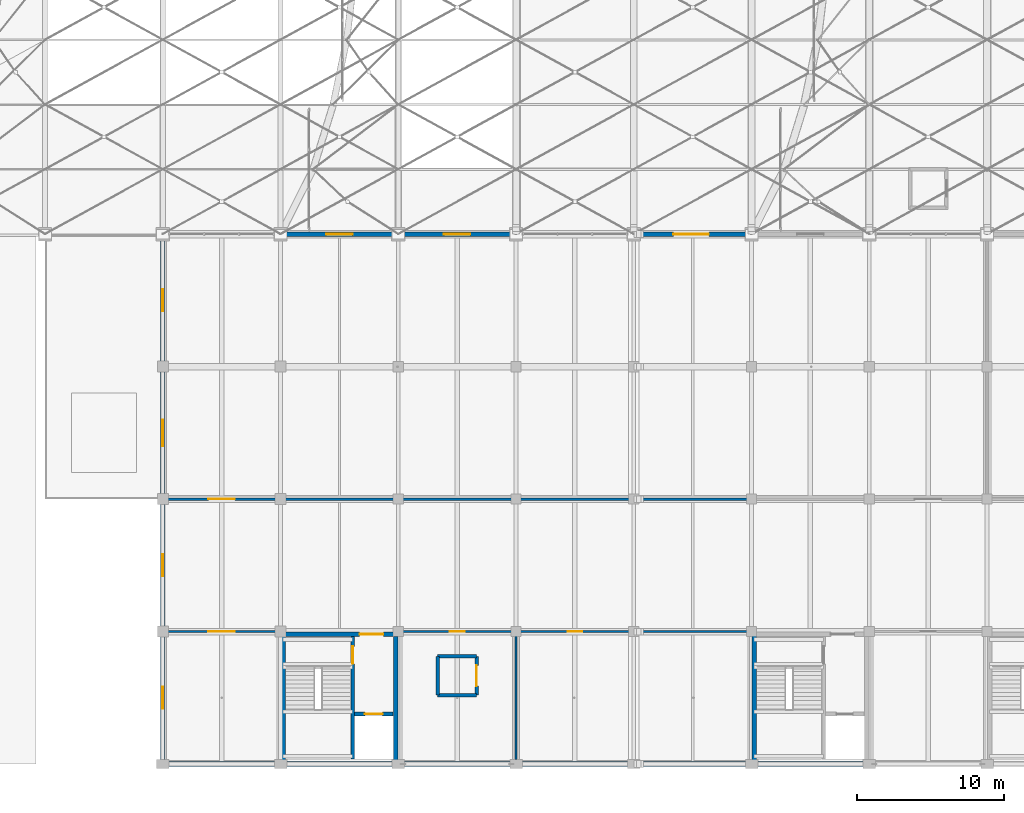
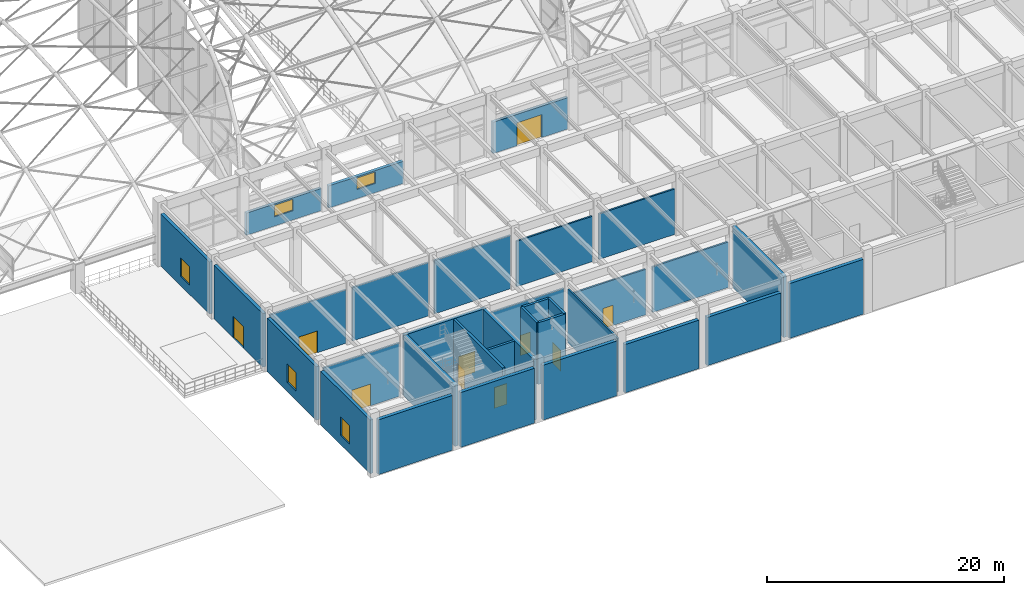
# One storey, part 127 of 163: 33 walls, 10 doors, 5 windows, 15 openings.
"""IFC4 building model written with IfcOpenShell, lengths in metres."""

from ifc_helpers import new_model, si_unit, direction, frame, frame_2d, origin, place, context, subcontext, project, spatial, rectangle, extrude, material, layer, layer_set, type_object, element, fill, save


model = new_model("IFC4")

# Units and contexts
model_context = context("Model", 3, precision=1e-05, world=origin(), true_north=direction((0.0, 1.0)))
body_context = subcontext(model_context, "Body", "Model", "MODEL_VIEW")
ifc_project = project(units=[si_unit("LENGTHUNIT", "METRE"), si_unit("AREAUNIT", "SQUARE_METRE"), si_unit("VOLUMEUNIT", "CUBIC_METRE"), si_unit("PLANEANGLEUNIT", "RADIAN"), si_unit("MASSUNIT", "GRAM", prefix="KILO")], contexts=[model_context])

# Site, building, storey
site_placement = place(None, origin())
site = spatial("IfcSite", under=ifc_project, at=site_placement, CompositionType="ELEMENT")
building_placement = place(site_placement, origin())
building = spatial("IfcBuilding", under=site, at=building_placement, Name="Varnabhumi Central Station", CompositionType="ELEMENT")
storey_placement = place(building_placement, frame((0.0, 0.0, 9.60009765625)))
storey = spatial("IfcBuildingStorey", under=building, at=storey_placement, Name="L02", CompositionType="ELEMENT", Elevation=9.60009765625)

# Walls
ifc_material_1 = material(Name="Concrete M40", Category="concrete")
ifc_layer_1 = layer(ifc_material_1, 0.300048828125, Name="Concrete M40", Category="concrete")
ifc_layer_set_1 = layer_set([ifc_layer_1], Name="Concrete M40")
wall_type_1 = type_object("IfcWallType", Name="WAL-CORE-RC-300", PredefinedType="SHEAR", material=ifc_layer_set_1)
for number, where, z_axis, x_axis, name in (
    (1, (40.179931640625, 0.179931640625, 0.0), (0.0, 0.0, 1.0), (0.0, 1.0, 0.0), "SC1 L02 West Shear Wall"),
    (2, (47.820068359375, 0.179931640625, 0.0), (0.0, 0.0, 1.0), (0.0, 1.0, 0.0), "SC1 L02 East Shear Wall"),
):
    element("IfcWall", number, at=place(storey_placement, frame(where, z_axis=z_axis, x_axis=x_axis)), inside=storey, type_object=wall_type_1, Name=name, PredefinedType="SHEAR", context=body_context, shape_type="SweptSolid", body=[
        extrude(rectangle(XDim=8.64013671875, YDim=0.300048828125, at=frame_2d((4.320068359375, 0.0))), origin(), (0.0, 0.0, 1.0), 6.31982421875),
    ])

# Wall, opening, door
wall_1_placement = place(storey_placement, frame((40.030029296875, 8.820068359375, 0.0), z_axis=(0.0, 0.0, 1.0), x_axis=(1.0, 0.0, 0.0)))
wall_1 = element("IfcWall", 3, at=wall_1_placement, inside=storey, type_object=wall_type_1, Name="SC1 L02 Corridor Shear Wall", PredefinedType="SHEAR", context=body_context, shape_type="SweptSolid", body=[
    extrude(rectangle(XDim=7.93994140625, YDim=0.300048828125, at=frame_2d((3.969970703125, 0.0))), origin(), (0.0, 0.0, 1.0), 6.31982421875),
])
opening_1_placement = place(wall_1_placement, frame((5.35009765625, 0.0, 0.0)))
opening_1 = element("IfcOpeningElement", 4, at=opening_1_placement, cuts=wall_1, Name="Opening FD-60D", PredefinedType="OPENING", context=body_context, shape_type="SweptSolid", body=[
    extrude(rectangle(XDim=1.60009765625, YDim=2.14990234375, at=frame_2d((0.800048828125, 1.074951171875))), frame((0.0, 0.159912109375, 0.0), z_axis=(0.0, -1.0, 0.0), x_axis=(1.0, 0.0, 0.0)), (0.0, 0.0, 1.0), 0.320068359375),
])
ifc_material_2 = material(Name="Intumescent-treated hardwood timber", Category="wood")
door_type_1 = type_object("IfcDoorType", Name="DR-FIRE-60-1600", OperationType="NOTDEFINED", PredefinedType="DOOR", material=ifc_material_2)
door_1_placement = place(opening_1_placement, origin())
door_1 = element("IfcDoor", 5, at=door_1_placement, inside=storey, type_object=door_type_1, Name="SC1 L02 Lobby Fire Door", OperationType="DOUBLE_DOOR_SINGLE_SWING", OverallHeight=2.14990234375, OverallWidth=1.60009765625, PredefinedType="DOOR", context=body_context, shape_type="SweptSolid", body=[
    extrude(rectangle(XDim=1.60009765625, YDim=2.14990234375, at=frame_2d((0.800048828125, 1.074951171875))), frame((0.0, 0.02490234375, 0.0), z_axis=(0.0, -1.0, 0.0), x_axis=(1.0, 0.0, 0.0)), (0.0, 0.0, 1.0), 0.050048828125),
])
fill(opening_1, door_1)

# Wall
wall_2_placement = place(storey_placement, frame((72.179931640625, 0.179931640625, 0.0), z_axis=(0.0, 0.0, 1.0), x_axis=(0.0, 1.0, 0.0)))
element("IfcWall", 6, at=wall_2_placement, inside=storey, type_object=wall_type_1, Name="SC4 L02 West Shear Wall", PredefinedType="SHEAR", context=body_context, shape_type="SweptSolid", body=[
    extrude(rectangle(XDim=8.64013671875, YDim=0.300048828125, at=frame_2d((4.320068359375, 0.0))), origin(), (0.0, 0.0, 1.0), 6.31982421875),
])

# Wall, opening, window
ifc_material_3 = material(Name="Autoclaved aerated blockwork masonry", Category="masonry")
ifc_layer_2 = layer(ifc_material_3, 0.300048828125, Name="Autoclaved aerated blockwork masonry", Category="masonry")
ifc_layer_set_2 = layer_set([ifc_layer_2], Name="Autoclaved aerated blockwork masonry")
wall_type_2 = type_object("IfcWallType", Name="WAL-EXT-STUCCO-300", PredefinedType="SOLIDWALL", material=ifc_layer_set_2)
wall_3_placement = place(storey_placement, frame((40.344970703125, 36.0, 0.0), z_axis=(0.0, 0.0, 1.0), x_axis=(1.0, 0.0, 0.0)))
wall_3 = element("IfcWall", 7, at=wall_3_placement, inside=storey, type_object=wall_type_2, Name="South Spine Wall L02-2", PredefinedType="SOLIDWALL", context=body_context, shape_type="SweptSolid", body=[
    extrude(rectangle(XDim=7.31005859375, YDim=0.300048828125, at=frame_2d((3.655029296875, 0.0))), origin(), (0.0, 0.0, 1.0), 2.27001953125),
])
opening_2_placement = place(wall_3_placement, frame((2.7548828125, 0.0, 0.949951171875)))
opening_2 = element("IfcOpeningElement", 8, at=opening_2_placement, cuts=wall_3, Name="Opening W-02", PredefinedType="OPENING", context=body_context, shape_type="SweptSolid", body=[
    extrude(rectangle(XDim=1.800048828125, YDim=1.179931640625, at=frame_2d((0.89990234375, 0.58984375))), frame((0.0, 0.159912109375, 0.0), z_axis=(0.0, -1.0, 0.0), x_axis=(1.0, 0.0, 0.0)), (0.0, 0.0, 1.0), 0.320068359375),
])
ifc_material_4 = material(Name="Laminated low-E double glazing", Category="glass")
window_type_1 = type_object("IfcWindowType", Name="WIN-ARCADE-1800x2600", PartitioningType="DOUBLE_PANEL_VERTICAL", PredefinedType="WINDOW", material=ifc_material_4)
window_1_placement = place(opening_2_placement, origin())
window_1 = element("IfcWindow", 9, at=window_1_placement, inside=storey, type_object=window_type_1, Name="South Spine Overlook Window L02-2", OverallHeight=1.179931640625, OverallWidth=1.800048828125, PartitioningType="SINGLE_PANEL", PredefinedType="WINDOW", context=body_context, shape_type="SweptSolid", body=[
    extrude(rectangle(XDim=1.800048828125, YDim=1.179931640625, at=frame_2d((0.89990234375, 0.58984375))), frame((0.0, 0.030029296875, 0.0), z_axis=(0.0, -1.0, 0.0), x_axis=(1.0, 0.0, 0.0)), (0.0, 0.0, 1.0), 0.06005859375),
])
fill(opening_2, window_1)

wall_4_placement = place(storey_placement, frame((48.344970703125, 36.0, 0.0), z_axis=(0.0, 0.0, 1.0), x_axis=(1.0, 0.0, 0.0)))
wall_4 = element("IfcWall", 10, at=wall_4_placement, inside=storey, type_object=wall_type_2, Name="South Spine Wall L02-3", PredefinedType="SOLIDWALL", context=body_context, shape_type="SweptSolid", body=[
    extrude(rectangle(XDim=7.31005859375, YDim=0.300048828125, at=frame_2d((3.655029296875, 0.0))), origin(), (0.0, 0.0, 1.0), 2.27001953125),
])
opening_3_placement = place(wall_4_placement, frame((2.7548828125, 0.0, 0.949951171875)))
opening_3 = element("IfcOpeningElement", 11, at=opening_3_placement, cuts=wall_4, Name="Opening W-02", PredefinedType="OPENING", context=body_context, shape_type="SweptSolid", body=[
    extrude(rectangle(XDim=1.800048828125, YDim=1.179931640625, at=frame_2d((0.89990234375, 0.58984375))), frame((0.0, 0.159912109375, 0.0), z_axis=(0.0, -1.0, 0.0), x_axis=(1.0, 0.0, 0.0)), (0.0, 0.0, 1.0), 0.320068359375),
])
window_2_placement = place(opening_3_placement, origin())
window_2 = element("IfcWindow", 12, at=window_2_placement, inside=storey, type_object=window_type_1, Name="South Spine Overlook Window L02-3", OverallHeight=1.179931640625, OverallWidth=1.800048828125, PartitioningType="SINGLE_PANEL", PredefinedType="WINDOW", context=body_context, shape_type="SweptSolid", body=[
    extrude(rectangle(XDim=1.800048828125, YDim=1.179931640625, at=frame_2d((0.89990234375, 0.58984375))), frame((0.0, 0.030029296875, 0.0), z_axis=(0.0, -1.0, 0.0), x_axis=(1.0, 0.0, 0.0)), (0.0, 0.0, 1.0), 0.06005859375),
])
fill(opening_3, window_2)

# Wall, opening, door
wall_5_placement = place(storey_placement, frame((64.344970703125, 36.0, 0.0), z_axis=(0.0, 0.0, 1.0), x_axis=(1.0, 0.0, 0.0)))
wall_5 = element("IfcWall", 13, at=wall_5_placement, inside=storey, type_object=wall_type_2, Name="South Spine Wall L02-5", PredefinedType="SOLIDWALL", context=body_context, shape_type="SweptSolid", body=[
    extrude(rectangle(XDim=7.31005859375, YDim=0.300048828125, at=frame_2d((3.655029296875, 0.0))), origin(), (0.0, 0.0, 1.0), 3.219970703125),
])
opening_4_placement = place(wall_5_placement, frame((2.35009765625, 0.0, 0.0)))
opening_4 = element("IfcOpeningElement", 14, at=opening_4_placement, cuts=wall_5, Name="Opening ED-1", PredefinedType="OPENING", context=body_context, shape_type="SweptSolid", body=[
    extrude(rectangle(XDim=2.39990234375, YDim=2.35009765625, at=frame_2d((1.199951171875, 1.175048828125))), frame((0.0, 0.159912109375, 0.0), z_axis=(0.0, -1.0, 0.0), x_axis=(1.0, 0.0, 0.0)), (0.0, 0.0, 1.0), 0.320068359375),
])
ifc_material_5 = material(Name="Anodised aluminium 6063-T6", Category="aluminium")
door_type_2 = type_object("IfcDoorType", Name="DR-EXT-PORTAL-2400", OperationType="NOTDEFINED", PredefinedType="DOOR", material=ifc_material_5)
door_2_placement = place(opening_4_placement, origin())
door_2 = element("IfcDoor", 15, at=door_2_placement, inside=storey, type_object=door_type_2, Name="Concourse South Waiting Portal 5", OperationType="DOUBLE_DOOR_SINGLE_SWING", OverallHeight=2.35009765625, OverallWidth=2.39990234375, PredefinedType="DOOR", context=body_context, shape_type="SweptSolid", body=[
    extrude(rectangle(XDim=2.39990234375, YDim=2.35009765625, at=frame_2d((1.199951171875, 1.175048828125))), frame((0.0, 0.02490234375, 0.0), z_axis=(0.0, -1.0, 0.0), x_axis=(1.0, 0.0, 0.0)), (0.0, 0.0, 1.0), 0.050048828125),
])
fill(opening_4, door_2)

# Wall, opening, window
wall_6_placement = place(storey_placement, frame((32.0, 0.294921875, 0.0), z_axis=(0.0, 0.0, 1.0), x_axis=(0.0, 1.0, 0.0)))
wall_6 = element("IfcWall", 16, at=wall_6_placement, inside=storey, type_object=wall_type_2, Name="South Wing E End Wall L02-1", PredefinedType="SOLIDWALL", context=body_context, shape_type="SweptSolid", body=[
    extrude(rectangle(XDim=8.3349609375, YDim=0.300048828125, at=frame_2d((4.16748046875, 0.0))), origin(), (0.0, 0.0, 1.0), 5.510009765625),
])
opening_5_placement = place(wall_6_placement, frame((3.455078125, 0.0, 0.949951171875)))
opening_5 = element("IfcOpeningElement", 17, at=opening_5_placement, cuts=wall_6, Name="Opening W-07", PredefinedType="OPENING", context=body_context, shape_type="SweptSolid", body=[
    extrude(rectangle(XDim=1.5, YDim=1.89990234375, at=frame_2d((0.75, 0.949951171875))), frame((0.0, 0.159912109375, 0.0), z_axis=(0.0, -1.0, 0.0), x_axis=(1.0, 0.0, 0.0)), (0.0, 0.0, 1.0), 0.320068359375),
])
window_type_2 = type_object("IfcWindowType", Name="WIN-OPS-1500x1900", PartitioningType="SINGLE_PANEL", PredefinedType="WINDOW", material=ifc_material_4)
window_3_placement = place(opening_5_placement, origin())
window_3 = element("IfcWindow", 18, at=window_3_placement, inside=storey, type_object=window_type_2, Name="South E Window L02-1", OverallHeight=1.89990234375, OverallWidth=1.5, PartitioningType="SINGLE_PANEL", PredefinedType="WINDOW", context=body_context, shape_type="SweptSolid", body=[
    extrude(rectangle(XDim=1.5, YDim=1.89990234375, at=frame_2d((0.75, 0.949951171875))), frame((0.0, 0.030029296875, 0.0), z_axis=(0.0, -1.0, 0.0), x_axis=(1.0, 0.0, 0.0)), (0.0, 0.0, 1.0), 0.06005859375),
])
fill(opening_5, window_3)

wall_7_placement = place(storey_placement, frame((32.0, 9.3701171875, 0.0), z_axis=(0.0, 0.0, 1.0), x_axis=(0.0, 1.0, 0.0)))
wall_7 = element("IfcWall", 19, at=wall_7_placement, inside=storey, type_object=wall_type_2, Name="South Wing E End Wall L02-2", PredefinedType="SOLIDWALL", context=body_context, shape_type="SweptSolid", body=[
    extrude(rectangle(XDim=8.259765625, YDim=0.300048828125, at=frame_2d((4.1298828125, 0.0))), origin(), (0.0, 0.0, 1.0), 5.510009765625),
])
opening_6_placement = place(wall_7_placement, frame((3.3798828125, 0.0, 0.949951171875)))
opening_6 = element("IfcOpeningElement", 20, at=opening_6_placement, cuts=wall_7, Name="Opening W-07", PredefinedType="OPENING", context=body_context, shape_type="SweptSolid", body=[
    extrude(rectangle(XDim=1.5, YDim=1.89990234375, at=frame_2d((0.75, 0.949951171875))), frame((0.0, 0.159912109375, 0.0), z_axis=(0.0, -1.0, 0.0), x_axis=(1.0, 0.0, 0.0)), (0.0, 0.0, 1.0), 0.320068359375),
])
window_4_placement = place(opening_6_placement, origin())
window_4 = element("IfcWindow", 21, at=window_4_placement, inside=storey, type_object=window_type_2, Name="South E Window L02-2", OverallHeight=1.89990234375, OverallWidth=1.5, PartitioningType="SINGLE_PANEL", PredefinedType="WINDOW", context=body_context, shape_type="SweptSolid", body=[
    extrude(rectangle(XDim=1.5, YDim=1.89990234375, at=frame_2d((0.75, 0.949951171875))), frame((0.0, 0.030029296875, 0.0), z_axis=(0.0, -1.0, 0.0), x_axis=(1.0, 0.0, 0.0)), (0.0, 0.0, 1.0), 0.06005859375),
])
fill(opening_6, window_4)

# Wall, opening, door
wall_8_placement = place(storey_placement, frame((32.0, 18.3701171875, 0.0), z_axis=(0.0, 0.0, 1.0), x_axis=(0.0, 1.0, 0.0)))
wall_8 = element("IfcWall", 22, at=wall_8_placement, inside=storey, type_object=wall_type_2, Name="South Wing E End Wall L02-3", PredefinedType="SOLIDWALL", context=body_context, shape_type="SweptSolid", body=[
    extrude(rectangle(XDim=8.259765625, YDim=0.300048828125, at=frame_2d((4.1298828125, 0.0))), origin(), (0.0, 0.0, 1.0), 5.510009765625),
])
opening_7_placement = place(wall_8_placement, frame((3.22998046875, 0.0, 0.0)))
opening_7 = element("IfcOpeningElement", 23, at=opening_7_placement, cuts=wall_8, Name="Opening ED-4", PredefinedType="OPENING", context=body_context, shape_type="SweptSolid", body=[
    extrude(rectangle(XDim=1.800048828125, YDim=2.199951171875, at=frame_2d((0.89990234375, 1.10009765625))), frame((0.0, 0.159912109375, 0.0), z_axis=(0.0, -1.0, 0.0), x_axis=(1.0, 0.0, 0.0)), (0.0, 0.0, 1.0), 0.320068359375),
])
door_type_3 = type_object("IfcDoorType", Name="DR-EXT-AZOTEA-1800", OperationType="NOTDEFINED", PredefinedType="DOOR", material=ifc_material_5)
door_3_placement = place(opening_7_placement, frame((1.800048828125, 0.0, 0.0), z_axis=(0.0, 0.0, 1.0), x_axis=(-1.0, 0.0, 0.0)))
door_3 = element("IfcDoor", 24, at=door_3_placement, inside=storey, type_object=door_type_3, Name="South Azotea Terrace Door L02-E", OperationType="DOUBLE_DOOR_SINGLE_SWING", OverallHeight=2.199951171875, OverallWidth=1.800048828125, PredefinedType="DOOR", context=body_context, shape_type="SweptSolid", body=[
    extrude(rectangle(XDim=1.800048828125, YDim=2.199951171875, at=frame_2d((0.89990234375, 1.10009765625))), frame((0.0, 0.02490234375, 0.0), z_axis=(0.0, -1.0, 0.0), x_axis=(1.0, 0.0, 0.0)), (0.0, 0.0, 1.0), 0.050048828125),
])
fill(opening_7, door_3)

# Wall, opening, window
wall_9_placement = place(storey_placement, frame((32.0, 27.3701171875, 0.0), z_axis=(0.0, 0.0, 1.0), x_axis=(0.0, 1.0, 0.0)))
wall_9 = element("IfcWall", 25, at=wall_9_placement, inside=storey, type_object=wall_type_2, Name="South Wing E End Wall L02-4", PredefinedType="SOLIDWALL", context=body_context, shape_type="SweptSolid", body=[
    extrude(rectangle(XDim=8.22998046875, YDim=0.300048828125, at=frame_2d((4.114990234375, 0.0))), origin(), (0.0, 0.0, 1.0), 5.35986328125),
])
opening_8_placement = place(wall_9_placement, frame((3.3798828125, 0.0, 0.949951171875)))
opening_8 = element("IfcOpeningElement", 26, at=opening_8_placement, cuts=wall_9, Name="Opening W-07", PredefinedType="OPENING", context=body_context, shape_type="SweptSolid", body=[
    extrude(rectangle(XDim=1.5, YDim=1.89990234375, at=frame_2d((0.75, 0.949951171875))), frame((0.0, 0.159912109375, 0.0), z_axis=(0.0, -1.0, 0.0), x_axis=(1.0, 0.0, 0.0)), (0.0, 0.0, 1.0), 0.320068359375),
])
window_5_placement = place(opening_8_placement, origin())
window_5 = element("IfcWindow", 27, at=window_5_placement, inside=storey, type_object=window_type_2, Name="South E Window L02-4", OverallHeight=1.89990234375, OverallWidth=1.5, PartitioningType="SINGLE_PANEL", PredefinedType="WINDOW", context=body_context, shape_type="SweptSolid", body=[
    extrude(rectangle(XDim=1.5, YDim=1.89990234375, at=frame_2d((0.75, 0.949951171875))), frame((0.0, 0.030029296875, 0.0), z_axis=(0.0, -1.0, 0.0), x_axis=(1.0, 0.0, 0.0)), (0.0, 0.0, 1.0), 0.06005859375),
])
fill(opening_8, window_5)

# Wall, opening, door
ifc_layer_3 = layer(ifc_material_3, 0.159912109375, Name="Autoclaved aerated blockwork masonry", Category="masonry")
ifc_layer_set_3 = layer_set([ifc_layer_3], Name="Autoclaved aerated blockwork masonry")
wall_type_3 = type_object("IfcWallType", Name="WAL-PART-AAC-160", PredefinedType="PARTITIONING", material=ifc_layer_set_3)
wall_10_placement = place(storey_placement, frame((32.300048828125, 18.0, 0.0), z_axis=(0.0, 0.0, 1.0), x_axis=(1.0, 0.0, 0.0)))
wall_10 = element("IfcWall", 28, at=wall_10_placement, inside=storey, type_object=wall_type_3, Name="South General Waiting Hall Corridor Partition 1", PredefinedType="PARTITIONING", context=body_context, shape_type="SweptSolid", body=[
    extrude(rectangle(XDim=7.39990234375, YDim=0.159912109375, at=frame_2d((3.699951171875, 0.0))), origin(), (0.0, 0.0, 1.0), 5.5),
])
opening_9_placement = place(wall_10_placement, frame((2.800048828125, 0.0, 0.0)))
opening_9 = element("IfcOpeningElement", 29, at=opening_9_placement, cuts=wall_10, Name="Opening D-02", PredefinedType="OPENING", context=body_context, shape_type="SweptSolid", body=[
    extrude(rectangle(XDim=1.800048828125, YDim=2.25, at=frame_2d((0.89990234375, 1.125))), frame((0.0, 0.08984375, 0.0), z_axis=(0.0, -1.0, 0.0), x_axis=(1.0, 0.0, 0.0)), (0.0, 0.0, 1.0), 0.179931640625),
])
door_type_4 = type_object("IfcDoorType", Name="DR-LOUNGE-1800", OperationType="NOTDEFINED", PredefinedType="DOOR", material=ifc_material_5)
door_4_placement = place(opening_9_placement, frame((1.800048828125, 0.0, 0.0), z_axis=(0.0, 0.0, 1.0), x_axis=(-1.0, 0.0, 0.0)))
door_4 = element("IfcDoor", 30, at=door_4_placement, inside=storey, type_object=door_type_4, Name="South General Waiting Hall Door 1", OperationType="DOUBLE_DOOR_SINGLE_SWING", OverallHeight=2.25, OverallWidth=1.800048828125, PredefinedType="DOOR", context=body_context, shape_type="SweptSolid", body=[
    extrude(rectangle(XDim=1.800048828125, YDim=2.25, at=frame_2d((0.89990234375, 1.125))), frame((0.0, 0.02490234375, 0.0), z_axis=(0.0, -1.0, 0.0), x_axis=(1.0, 0.0, 0.0)), (0.0, 0.0, 1.0), 0.050048828125),
])
fill(opening_9, door_4)

# Walls
for number, where, z_axis, x_axis, name in (
    (31, (40.300048828125, 18.0, 0.0), (0.0, 0.0, 1.0), (1.0, 0.0, 0.0), "South General Waiting Hall Corridor Partition 2"),
    (32, (48.300048828125, 18.0, 0.0), (0.0, 0.0, 1.0), (1.0, 0.0, 0.0), "South General Waiting Hall Corridor Partition 3"),
):
    element("IfcWall", number, at=place(storey_placement, frame(where, z_axis=z_axis, x_axis=x_axis)), inside=storey, type_object=wall_type_3, Name=name, PredefinedType="PARTITIONING", context=body_context, shape_type="SweptSolid", body=[
        extrude(rectangle(XDim=7.39990234375, YDim=0.159912109375, at=frame_2d((3.699951171875, 0.0))), origin(), (0.0, 0.0, 1.0), 5.5),
    ])
for number, where, z_axis, x_axis, name in (
    (33, (56.300048828125, 18.0, 0.0), (0.0, 0.0, 1.0), (1.0, 0.0, 0.0), "South General Waiting Hall Corridor Partition 4"),
    (34, (64.300048828125, 18.0, 0.0), (0.0, 0.0, 1.0), (1.0, 0.0, 0.0), "South General Waiting Hall Corridor Partition 5"),
):
    element("IfcWall", number, at=place(storey_placement, frame(where, z_axis=z_axis, x_axis=x_axis)), inside=storey, type_object=wall_type_3, Name=name, PredefinedType="PARTITIONING", context=body_context, shape_type="SweptSolid", body=[
        extrude(rectangle(XDim=7.39990234375, YDim=0.159912109375, at=frame_2d((3.699951171875, 0.0))), origin(), (0.0, 0.0, 1.0), 4.679931640625),
    ])

# Wall, opening, door
wall_11_placement = place(storey_placement, frame((32.300048828125, 9.0, 0.0), z_axis=(0.0, 0.0, 1.0), x_axis=(1.0, 0.0, 0.0)))
wall_11 = element("IfcWall", 35, at=wall_11_placement, inside=storey, type_object=wall_type_3, Name="Intercity Express Waiting Lounge Corridor Partition 1", PredefinedType="PARTITIONING", context=body_context, shape_type="SweptSolid", body=[
    extrude(rectangle(XDim=7.39990234375, YDim=0.159912109375, at=frame_2d((3.699951171875, 0.0))), origin(), (0.0, 0.0, 1.0), 5.5),
])
opening_10_placement = place(wall_11_placement, frame((2.800048828125, 0.0, 0.0)))
opening_10 = element("IfcOpeningElement", 36, at=opening_10_placement, cuts=wall_11, Name="Opening D-02", PredefinedType="OPENING", context=body_context, shape_type="SweptSolid", body=[
    extrude(rectangle(XDim=1.800048828125, YDim=2.25, at=frame_2d((0.89990234375, 1.125))), frame((0.0, 0.08984375, 0.0), z_axis=(0.0, -1.0, 0.0), x_axis=(1.0, 0.0, 0.0)), (0.0, 0.0, 1.0), 0.179931640625),
])
door_5_placement = place(opening_10_placement, origin())
door_5 = element("IfcDoor", 37, at=door_5_placement, inside=storey, type_object=door_type_4, Name="Intercity Express Waiting Lounge Door 1", OperationType="DOUBLE_DOOR_SINGLE_SWING", OverallHeight=2.25, OverallWidth=1.800048828125, PredefinedType="DOOR", context=body_context, shape_type="SweptSolid", body=[
    extrude(rectangle(XDim=1.800048828125, YDim=2.25, at=frame_2d((0.89990234375, 1.125))), frame((0.0, 0.02490234375, 0.0), z_axis=(0.0, -1.0, 0.0), x_axis=(1.0, 0.0, 0.0)), (0.0, 0.0, 1.0), 0.050048828125),
])
fill(opening_10, door_5)

wall_12_placement = place(storey_placement, frame((48.300048828125, 9.0, 0.0), z_axis=(0.0, 0.0, 1.0), x_axis=(1.0, 0.0, 0.0)))
wall_12 = element("IfcWall", 38, at=wall_12_placement, inside=storey, type_object=wall_type_3, Name="Passenger Assistance Control Office Corridor Partition 1", PredefinedType="PARTITIONING", context=body_context, shape_type="SweptSolid", body=[
    extrude(rectangle(XDim=7.39990234375, YDim=0.159912109375, at=frame_2d((3.699951171875, 0.0))), origin(), (0.0, 0.0, 1.0), 5.5),
])
opening_11_placement = place(wall_12_placement, frame((3.199951171875, 0.0, 0.0)))
opening_11 = element("IfcOpeningElement", 39, at=opening_11_placement, cuts=wall_12, Name="Opening D-01", PredefinedType="OPENING", context=body_context, shape_type="SweptSolid", body=[
    extrude(rectangle(XDim=1.0, YDim=2.10009765625, at=frame_2d((0.5, 1.050048828125))), frame((0.0, 0.08984375, 0.0), z_axis=(0.0, -1.0, 0.0), x_axis=(1.0, 0.0, 0.0)), (0.0, 0.0, 1.0), 0.179931640625),
])
door_type_5 = type_object("IfcDoorType", Name="DR-ROOM-1000", OperationType="NOTDEFINED", PredefinedType="DOOR", material=ifc_material_2)
door_6_placement = place(opening_11_placement, origin())
door_6 = element("IfcDoor", 40, at=door_6_placement, inside=storey, type_object=door_type_5, Name="Passenger Assistance Control Office Door 1", OperationType="SINGLE_SWING_LEFT", OverallHeight=2.10009765625, OverallWidth=1.0, PredefinedType="DOOR", context=body_context, shape_type="SweptSolid", body=[
    extrude(rectangle(XDim=1.0, YDim=2.10009765625, at=frame_2d((0.5, 1.050048828125))), frame((0.0, 0.02490234375, 0.0), z_axis=(0.0, -1.0, 0.0), x_axis=(1.0, 0.0, 0.0)), (0.0, 0.0, 1.0), 0.050048828125),
])
fill(opening_11, door_6)

# Wall
wall_13_placement = place(storey_placement, frame((56.0, 0.300048828125, 0.0), z_axis=(0.0, 0.0, 1.0), x_axis=(0.0, 1.0, 0.0)))
element("IfcWall", 41, at=wall_13_placement, inside=storey, type_object=wall_type_3, Name="Passenger Assistance Control Office W Partition 1", PredefinedType="PARTITIONING", context=body_context, shape_type="SweptSolid", body=[
    extrude(rectangle(XDim=8.39990234375, YDim=0.159912109375, at=frame_2d((4.199951171875, 0.0))), origin(), (0.0, 0.0, 1.0), 5.5),
])

# Wall, opening, door
wall_14_placement = place(storey_placement, frame((56.300048828125, 9.0, 0.0), z_axis=(0.0, 0.0, 1.0), x_axis=(1.0, 0.0, 0.0)))
wall_14 = element("IfcWall", 42, at=wall_14_placement, inside=storey, type_object=wall_type_3, Name="Rail Reservation Counter Office Corridor Partition 1", PredefinedType="PARTITIONING", context=body_context, shape_type="SweptSolid", body=[
    extrude(rectangle(XDim=7.39990234375, YDim=0.159912109375, at=frame_2d((3.699951171875, 0.0))), origin(), (0.0, 0.0, 1.0), 4.679931640625),
])
opening_12_placement = place(wall_14_placement, frame((3.199951171875, 0.0, 0.0)))
opening_12 = element("IfcOpeningElement", 43, at=opening_12_placement, cuts=wall_14, Name="Opening D-01", PredefinedType="OPENING", context=body_context, shape_type="SweptSolid", body=[
    extrude(rectangle(XDim=1.0, YDim=2.10009765625, at=frame_2d((0.5, 1.050048828125))), frame((0.0, 0.08984375, 0.0), z_axis=(0.0, -1.0, 0.0), x_axis=(1.0, 0.0, 0.0)), (0.0, 0.0, 1.0), 0.179931640625),
])
door_7_placement = place(opening_12_placement, origin())
door_7 = element("IfcDoor", 44, at=door_7_placement, inside=storey, type_object=door_type_5, Name="Rail Reservation Counter Office Door 1", OperationType="SINGLE_SWING_LEFT", OverallHeight=2.10009765625, OverallWidth=1.0, PredefinedType="DOOR", context=body_context, shape_type="SweptSolid", body=[
    extrude(rectangle(XDim=1.0, YDim=2.10009765625, at=frame_2d((0.5, 1.050048828125))), frame((0.0, 0.02490234375, 0.0), z_axis=(0.0, -1.0, 0.0), x_axis=(1.0, 0.0, 0.0)), (0.0, 0.0, 1.0), 0.050048828125),
])
fill(opening_12, door_7)

# Wall
wall_15_placement = place(storey_placement, frame((64.300048828125, 9.0, 0.0), z_axis=(0.0, 0.0, 1.0), x_axis=(1.0, 0.0, 0.0)))
element("IfcWall", 45, at=wall_15_placement, inside=storey, type_object=wall_type_3, Name="Rail Reservation Counter Office Corridor Partition 2", PredefinedType="PARTITIONING", context=body_context, shape_type="SweptSolid", body=[
    extrude(rectangle(XDim=7.39990234375, YDim=0.159912109375, at=frame_2d((3.699951171875, 0.0))), origin(), (0.0, 0.0, 1.0), 4.679931640625),
])

# Wall, opening, door
ifc_layer_4 = layer(ifc_material_1, 0.239990234375, Name="Concrete M40", Category="concrete")
ifc_layer_set_4 = layer_set([ifc_layer_4], Name="Concrete M40")
wall_type_4 = type_object("IfcWallType", Name="WAL-SHAFT-RC-240", PredefinedType="SHEAR", material=ifc_layer_set_4)
wall_16_placement = place(storey_placement, frame((44.89990234375, 0.35009765625, 0.0), z_axis=(0.0, 0.0, 1.0), x_axis=(0.0, 1.0, 0.0)))
wall_16 = element("IfcWall", 46, at=wall_16_placement, inside=storey, type_object=wall_type_4, Name="SC1 L02 Stair-Lobby Divider Wall", PredefinedType="SHEAR", context=body_context, shape_type="SweptSolid", body=[
    extrude(rectangle(XDim=8.2998046875, YDim=0.239990234375, at=frame_2d((4.14990234375, 0.0))), origin(), (0.0, 0.0, 1.0), 6.31982421875),
])
opening_13_placement = place(wall_16_placement, frame((6.449951171875, 0.0, 0.0)))
opening_13 = element("IfcOpeningElement", 47, at=opening_13_placement, cuts=wall_16, Name="Opening FD-120", PredefinedType="OPENING", context=body_context, shape_type="SweptSolid", body=[
    extrude(rectangle(XDim=1.199951171875, YDim=2.14990234375, at=frame_2d((0.60009765625, 1.074951171875))), frame((0.0, 0.1298828125, 0.0), z_axis=(0.0, -1.0, 0.0), x_axis=(1.0, 0.0, 0.0)), (0.0, 0.0, 1.0), 0.260009765625),
])
ifc_material_6 = material(Name="Stainless steel Grade 316", Category="steel")
door_type_6 = type_object("IfcDoorType", Name="DR-FIRE-120-1200", OperationType="NOTDEFINED", PredefinedType="DOOR", material=ifc_material_6)
door_8_placement = place(opening_13_placement, frame((1.199951171875, 0.0, 0.0), z_axis=(0.0, 0.0, 1.0), x_axis=(-1.0, 0.0, 0.0)))
door_8 = element("IfcDoor", 48, at=door_8_placement, inside=storey, type_object=door_type_6, Name="ST-S1 L02 Fire Door", OperationType="SINGLE_SWING_LEFT", OverallHeight=2.14990234375, OverallWidth=1.199951171875, PredefinedType="DOOR", context=body_context, shape_type="SweptSolid", body=[
    extrude(rectangle(XDim=1.199951171875, YDim=2.14990234375, at=frame_2d((0.60009765625, 1.074951171875))), frame((0.0, 0.02490234375, 0.0), z_axis=(0.0, -1.0, 0.0), x_axis=(1.0, 0.0, 0.0)), (0.0, 0.0, 1.0), 0.050048828125),
])
fill(opening_13, door_8)

wall_17_placement = place(storey_placement, frame((45.02001953125, 3.39990234375, 0.0), z_axis=(0.0, 0.0, 1.0), x_axis=(1.0, 0.0, 0.0)))
wall_17 = element("IfcWall", 49, at=wall_17_placement, inside=storey, type_object=wall_type_4, Name="FL-1 L02 Lift Shaft Front Wall", PredefinedType="SHEAR", context=body_context, shape_type="SweptSolid", body=[
    extrude(rectangle(XDim=2.6298828125, YDim=0.239990234375, at=frame_2d((1.31494140625, 0.0))), origin(), (0.0, 0.0, 1.0), 6.31982421875),
])
opening_14_placement = place(wall_17_placement, frame((0.715087890625, 0.0, 0.0)))
opening_14 = element("IfcOpeningElement", 50, at=opening_14_placement, cuts=wall_17, Name="Opening LD-FL-1", PredefinedType="OPENING", context=body_context, shape_type="SweptSolid", body=[
    extrude(rectangle(XDim=1.199951171875, YDim=2.14990234375, at=frame_2d((0.60009765625, 1.074951171875))), frame((0.0, 0.1298828125, 0.0), z_axis=(0.0, -1.0, 0.0), x_axis=(1.0, 0.0, 0.0)), (0.0, 0.0, 1.0), 0.260009765625),
])
door_type_7 = type_object("IfcDoorType", Name="DR-LIFT-FIRE-1200", OperationType="NOTDEFINED", PredefinedType="DOOR", material=ifc_material_6)
door_9_placement = place(opening_14_placement, origin())
door_9 = element("IfcDoor", 51, at=door_9_placement, inside=storey, type_object=door_type_7, Name="Lift Landing Door FL-1 L02", OperationType="DOUBLE_DOOR_SLIDING", OverallHeight=2.14990234375, OverallWidth=1.199951171875, PredefinedType="DOOR", context=body_context, shape_type="SweptSolid", body=[
    extrude(rectangle(XDim=1.199951171875, YDim=2.14990234375, at=frame_2d((0.60009765625, 1.074951171875))), frame((0.0, 0.02490234375, 0.0), z_axis=(0.0, -1.0, 0.0), x_axis=(1.0, 0.0, 0.0)), (0.0, 0.0, 1.0), 0.050048828125),
])
fill(opening_14, door_9)

# Walls
for number, where, z_axis, x_axis, name in (
    (52, (50.679931640625, 4.679931640625, 0.0), (0.0, 0.0, 1.0), (0.0, 1.0, 0.0), "GL-2 L02 Shaft West Wall"),
    (53, (50.679931640625, 4.679931640625, 0.0), (0.0, 0.0, 1.0), (1.0, 0.0, 0.0), "GL-2 L02 Shaft South Wall"),
    (54, (50.679931640625, 7.320068359375, 0.0), (0.0, 0.0, 1.0), (1.0, 0.0, 0.0), "GL-2 L02 Shaft North Wall"),
):
    element("IfcWall", number, at=place(storey_placement, frame(where, z_axis=z_axis, x_axis=x_axis)), inside=storey, type_object=wall_type_4, Name=name, PredefinedType="SHEAR", context=body_context, shape_type="SweptSolid", body=[
        extrude(rectangle(XDim=2.64013671875, YDim=0.239990234375, at=frame_2d((1.320068359375, 0.0))), origin(), (0.0, 0.0, 1.0), 6.349853515625),
    ])

# Wall, opening, door
wall_18_placement = place(storey_placement, frame((53.320068359375, 4.679931640625, 0.0), z_axis=(0.0, 0.0, 1.0), x_axis=(0.0, 1.0, 0.0)))
wall_18 = element("IfcWall", 55, at=wall_18_placement, inside=storey, type_object=wall_type_4, Name="GL-2 L02 Shaft Front Wall", PredefinedType="SHEAR", context=body_context, shape_type="SweptSolid", body=[
    extrude(rectangle(XDim=2.64013671875, YDim=0.239990234375, at=frame_2d((1.320068359375, 0.0))), origin(), (0.0, 0.0, 1.0), 6.349853515625),
])
opening_15_placement = place(wall_18_placement, frame((0.6201171875, 0.0, 0.0)))
opening_15 = element("IfcOpeningElement", 56, at=opening_15_placement, cuts=wall_18, Name="Opening LD-GL-2", PredefinedType="OPENING", context=body_context, shape_type="SweptSolid", body=[
    extrude(rectangle(XDim=1.39990234375, YDim=2.14990234375, at=frame_2d((0.699951171875, 1.074951171875))), frame((0.0, 0.1298828125, 0.0), z_axis=(0.0, -1.0, 0.0), x_axis=(1.0, 0.0, 0.0)), (0.0, 0.0, 1.0), 0.260009765625),
])
door_type_8 = type_object("IfcDoorType", Name="DR-LIFT-GOODS-1400", OperationType="NOTDEFINED", PredefinedType="DOOR", material=ifc_material_6)
door_10_placement = place(opening_15_placement, origin())
door_10 = element("IfcDoor", 57, at=door_10_placement, inside=storey, type_object=door_type_8, Name="Lift Landing Door GL-2 L02", OperationType="DOUBLE_DOOR_SLIDING", OverallHeight=2.14990234375, OverallWidth=1.39990234375, PredefinedType="DOOR", context=body_context, shape_type="SweptSolid", body=[
    extrude(rectangle(XDim=1.39990234375, YDim=2.14990234375, at=frame_2d((0.699951171875, 1.074951171875))), frame((0.0, 0.02490234375, 0.0), z_axis=(0.0, -1.0, 0.0), x_axis=(1.0, 0.0, 0.0)), (0.0, 0.0, 1.0), 0.050048828125),
])
fill(opening_15, door_10)

# Walls
ifc_layer_5 = layer(ifc_material_1, 0.340087890625, Name="Concrete M40", Category="concrete")
ifc_layer_set_5 = layer_set([ifc_layer_5], Name="Concrete M40")
wall_type_5 = type_object("IfcWallType", Name="WAL-SOUTH-FIRE-340", PredefinedType="SOLIDWALL", material=ifc_layer_set_5)
for number, where, z_axis, x_axis, name in (
    (58, (32.39990234375, 0.0, 0.0), (0.0, 0.0, 1.0), (1.0, 0.0, 0.0), "South Infill Boundary Fire Wall L02-1"),
    (59, (40.39990234375, 0.0, 0.0), (0.0, 0.0, 1.0), (1.0, 0.0, 0.0), "South Infill Boundary Fire Wall L02-2"),
    (60, (48.39990234375, 0.0, 0.0), (0.0, 0.0, 1.0), (1.0, 0.0, 0.0), "South Infill Boundary Fire Wall L02-3"),
):
    element("IfcWall", number, at=place(storey_placement, frame(where, z_axis=z_axis, x_axis=x_axis)), inside=storey, type_object=wall_type_5, Name=name, PredefinedType="SOLIDWALL", context=body_context, shape_type="SweptSolid", body=[
        extrude(rectangle(XDim=7.2001953125, YDim=0.340087890625, at=frame_2d((3.60009765625, 0.0))), origin(), (0.0, 0.0, 1.0), 5.639892578125),
    ])
for number, where, z_axis, x_axis, name in (
    (61, (56.39990234375, 0.0, 0.0), (0.0, 0.0, 1.0), (1.0, 0.0, 0.0), "South Infill Boundary Fire Wall L02-4"),
    (62, (64.39990234375, 0.0, 0.0), (0.0, 0.0, 1.0), (1.0, 0.0, 0.0), "South Infill Boundary Fire Wall L02-5"),
):
    element("IfcWall", number, at=place(storey_placement, frame(where, z_axis=z_axis, x_axis=x_axis)), inside=storey, type_object=wall_type_5, Name=name, PredefinedType="SOLIDWALL", context=body_context, shape_type="SweptSolid", body=[
        extrude(rectangle(XDim=7.2001953125, YDim=0.340087890625, at=frame_2d((3.60009765625, 0.0))), origin(), (0.0, 0.0, 1.0), 4.97998046875),
    ])
wall_19_placement = place(storey_placement, frame((72.39990234375, 0.0, 0.0), z_axis=(0.0, 0.0, 1.0), x_axis=(1.0, 0.0, 0.0)))
element("IfcWall", 63, at=wall_19_placement, inside=storey, type_object=wall_type_5, Name="South Infill Boundary Fire Wall L02-6", PredefinedType="SOLIDWALL", context=body_context, shape_type="SweptSolid", body=[
    extrude(rectangle(XDim=7.2001953125, YDim=0.340087890625, at=frame_2d((3.60009765625, 0.0))), origin(), (0.0, 0.0, 1.0), 5.639892578125),
])

save(model, "model.ifc")
